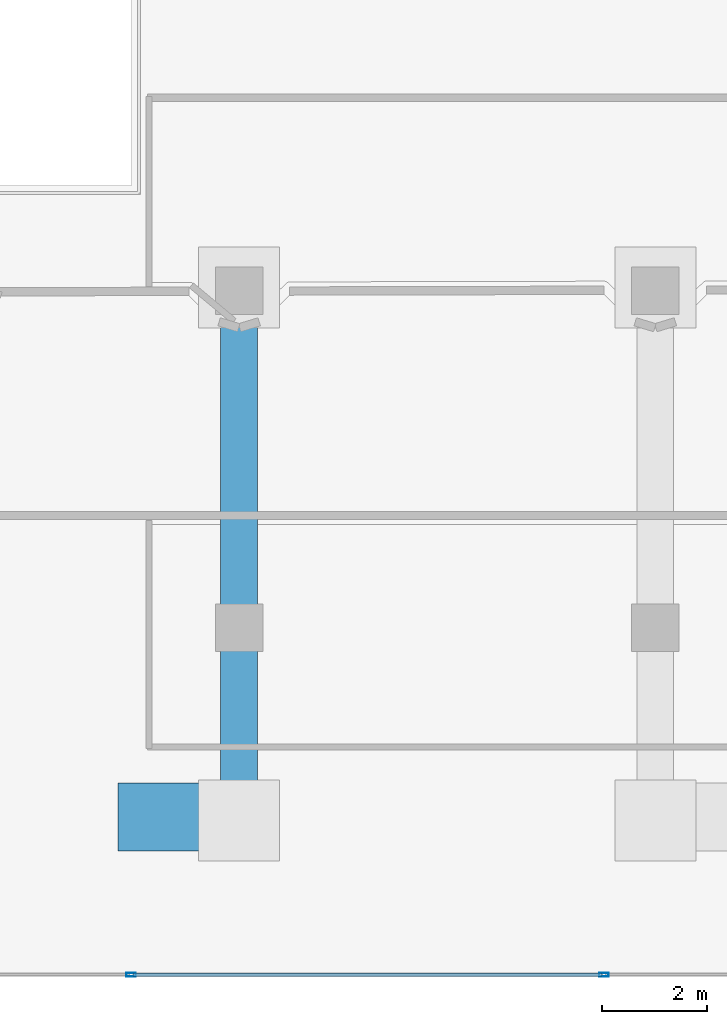
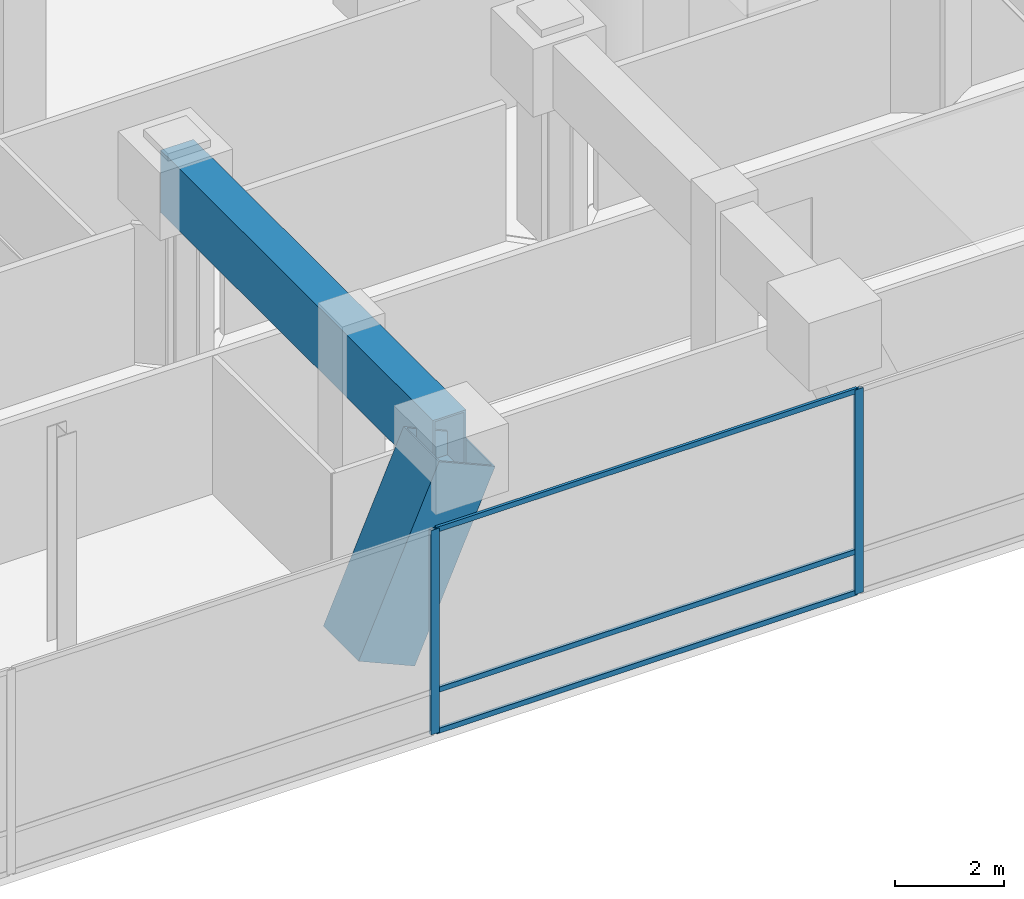
# One storey, part 12 of 45: 6 members, 1 beam, 1 element without a shape of its own.
"""IFC4 building model written with IfcOpenShell, lengths in metres."""

from ifc_helpers import new_model, si_unit, direction, frame, origin, origin_2d, place, context, subcontext, project, spatial, hollow_rectangle, extrude, material, layer, layer_set, material_profile, profile_set, type_object, element, aggregate, save


model = new_model("IFC4")

# Units and contexts
model_context = context("Model", 3, precision=1e-05, world=origin(), true_north=direction((0.0, 1.0)))
body_context = subcontext(model_context, "Body", "Model", "MODEL_VIEW")
ifc_project = project(units=[si_unit("LENGTHUNIT", "METRE"), si_unit("AREAUNIT", "SQUARE_METRE"), si_unit("VOLUMEUNIT", "CUBIC_METRE"), si_unit("PLANEANGLEUNIT", "RADIAN"), si_unit("MASSUNIT", "GRAM", prefix="KILO")], contexts=[model_context])

# Site, building, storey
site_placement = place(None, origin())
site = spatial("IfcSite", under=ifc_project, at=site_placement, CompositionType="ELEMENT")
building_placement = place(site_placement, origin())
building = spatial("IfcBuilding", under=site, at=building_placement, Name="Qianvela Tower", CompositionType="ELEMENT")
storey_placement = place(building_placement, frame((0.0, 0.0, 11.0)))
storey = spatial("IfcBuildingStorey", under=building, at=storey_placement, Name="L02", CompositionType="ELEMENT", Elevation=11.0)

# Beam
ifc_material_1 = material(Name="Steel Q420GJC", Category="steel")
ifc_material_profile_1 = material_profile(ifc_material_1, hollow_rectangle(XDim=0.699951171875, YDim=1.39990234375, WallThickness=0.0400390625, at=origin_2d()), Name="TG-BOX-1400x700x40")
ifc_profile_set_1 = profile_set([ifc_material_profile_1], Name="Steel Q420GJC")
beam_type = type_object("IfcBeamType", Name="BM-TG-STEP-1400", PredefinedType="BEAM", material=ifc_profile_set_1)
beam_placement = place(storey_placement, frame((44.044677734375, 14.5, 3.8779296875), z_axis=(0.0, -1.0, 0.0), x_axis=(1.0, 0.0, 0.0)))
element("IfcBeam", 1, at=beam_placement, inside=storey, type_object=beam_type, Name="L02 Concourse V-Cap Transfer Girder VC-S2-R", PredefinedType="BEAM", context=body_context, shape_type="SweptSolid", body=[
    extrude(hollow_rectangle(XDim=0.699951171875, YDim=1.39990234375, WallThickness=0.0400390625, at=origin_2d()), origin(), (0.0, 0.0, 1.0), 10.0),
])

# Curtain wall, members
ifc_material_2 = material(Name="Anodised Architectural Aluminium and Low-E Glass", Category="aluminium")
ifc_layer = layer(ifc_material_2, 0.179931640625)
ifc_layer_set = layer_set([ifc_layer], Name="Anodised Architectural Aluminium and Low-E Glass")
curtain_wall_type = type_object("IfcCurtainWallType", Name="CW-COMMONS", PredefinedType="USERDEFINED", material=ifc_layer_set)
curtain_wall_placement = place(storey_placement, origin())
curtain_wall = element("IfcCurtainWall", 2, at=curtain_wall_placement, inside=storey, type_object=curtain_wall_type, Name="L02 CW-COMMONS Curtain Wall 01", ObjectType="CURTAIN_WALL_SYSTEM", PredefinedType="USERDEFINED")
ifc_material_3 = material(Name="Anodised Architectural Aluminium 6063-T6", Category="aluminium")
ifc_material_profile_2 = material_profile(ifc_material_3, hollow_rectangle(XDim=0.070068359375, YDim=0.179931640625, WallThickness=0.0048828125, at=origin_2d()), Name="ALU-MULL-70x180")
ifc_profile_set_2 = profile_set([ifc_material_profile_2], Name="Anodised Architectural Aluminium 6063-T6")
member_type_1 = type_object("IfcMemberType", Name="CW-COMMONS-MULL", PredefinedType="MULLION", material=ifc_profile_set_2)
member_1_placement = place(storey_placement, frame((41.992919921875, 1.5, 0.0), z_axis=(0.0, 0.0, 1.0), x_axis=(0.0, 1.0, 0.0)))
member_1 = element("IfcMember", 3, at=member_1_placement, type_object=member_type_1, Name="CW-2 mullion 5", PredefinedType="MULLION", context=body_context, shape_type="SweptSolid", body=[
    extrude(hollow_rectangle(XDim=0.070068359375, YDim=0.179931640625, WallThickness=0.0048828125, at=origin_2d()), origin(), (0.0, 0.0, 1.0), 4.580078125),
])
member_2_placement = place(storey_placement, frame((50.978515625, 1.5, 0.0), z_axis=(0.0, 0.0, 1.0), x_axis=(0.0, 1.0, 0.0)))
member_2 = element("IfcMember", 4, at=member_2_placement, type_object=member_type_1, Name="CW-2 mullion 6", PredefinedType="MULLION", context=body_context, shape_type="SweptSolid", body=[
    extrude(hollow_rectangle(XDim=0.070068359375, YDim=0.179931640625, WallThickness=0.0048828125, at=origin_2d()), origin(), (0.0, 0.0, 1.0), 4.580078125),
])
ifc_material_4 = material(Name="Anodised Architectural Aluminium 6063-T6", Category="aluminium")
ifc_material_profile_3 = material_profile(ifc_material_4, hollow_rectangle(XDim=0.06005859375, YDim=0.114990234375, WallThickness=0.00390625, at=origin_2d()), Name="ALU-TRAN-60x115")
ifc_profile_set_3 = profile_set([ifc_material_profile_3], Name="Anodised Architectural Aluminium 6063-T6")
member_type_2 = type_object("IfcMemberType", Name="CW-COMMONS-TRAN", PredefinedType="USERDEFINED", material=ifc_profile_set_3)
member_3_placement = place(storey_placement, frame((42.02783203125, 1.5, 0.030029296875), z_axis=(1.0, 0.0, 0.0), x_axis=(0.0, 1.0, 0.0)))
member_3 = element("IfcMember", 5, at=member_3_placement, type_object=member_type_2, Name="CW-2 transom 5.1", ObjectType="TRANSOM", PredefinedType="USERDEFINED", context=body_context, shape_type="SweptSolid", body=[
    extrude(hollow_rectangle(XDim=0.06005859375, YDim=0.114990234375, WallThickness=0.00390625, at=origin_2d()), origin(), (0.0, 0.0, 1.0), 8.915771484375),
])
member_4_placement = place(storey_placement, frame((42.02783203125, 1.5, 0.949951171875), z_axis=(1.0, 0.0, 0.0), x_axis=(0.0, 1.0, 0.0)))
member_4 = element("IfcMember", 6, at=member_4_placement, type_object=member_type_2, Name="CW-2 transom 5.2", ObjectType="TRANSOM", PredefinedType="USERDEFINED", context=body_context, shape_type="SweptSolid", body=[
    extrude(hollow_rectangle(XDim=0.06005859375, YDim=0.114990234375, WallThickness=0.00390625, at=origin_2d()), origin(), (0.0, 0.0, 1.0), 8.915771484375),
])
member_5_placement = place(storey_placement, frame((42.02783203125, 1.5, 4.550048828125), z_axis=(1.0, 0.0, 0.0), x_axis=(0.0, 1.0, 0.0)))
member_5 = element("IfcMember", 7, at=member_5_placement, type_object=member_type_2, Name="CW-2 transom 5.3", ObjectType="TRANSOM", PredefinedType="USERDEFINED", context=body_context, shape_type="SweptSolid", body=[
    extrude(hollow_rectangle(XDim=0.06005859375, YDim=0.114990234375, WallThickness=0.00390625, at=origin_2d()), origin(), (0.0, 0.0, 1.0), 8.915771484375),
])
aggregate(curtain_wall, [member_1, member_2, member_3, member_4, member_5])

# Member
ifc_material_5 = material(Name="Steel Q420GJC", Category="steel")
ifc_material_profile_4 = material_profile(ifc_material_5, hollow_rectangle(XDim=1.300048828125, YDim=1.300048828125, WallThickness=0.044921875, at=origin_2d()), Name="VBOX-1300x1300x45")
ifc_profile_set_4 = profile_set([ifc_material_profile_4], Name="Steel Q420GJC")
member_type_3 = type_object("IfcMemberType", Name="MBR-VCOL-1300", PredefinedType="POST", material=ifc_profile_set_4)
member_6_placement = place(storey_placement, frame((42.338623046875, 4.5, 0.0), z_axis=(0.402692265556, 0.0, 0.915335424455), x_axis=(0.0, 1.0, 0.0)))
element("IfcMember", 8, at=member_6_placement, inside=storey, type_object=member_type_3, Name="L02 Concourse Inclined V-Column VC-S2 Leg R", PredefinedType="POST", context=body_context, shape_type="SweptSolid", body=[
    extrude(hollow_rectangle(XDim=1.300048828125, YDim=1.300048828125, WallThickness=0.044921875, at=origin_2d()), origin(), (0.0, 0.0, 1.0), 4.236572265625),
])

save(model, "model.ifc")
